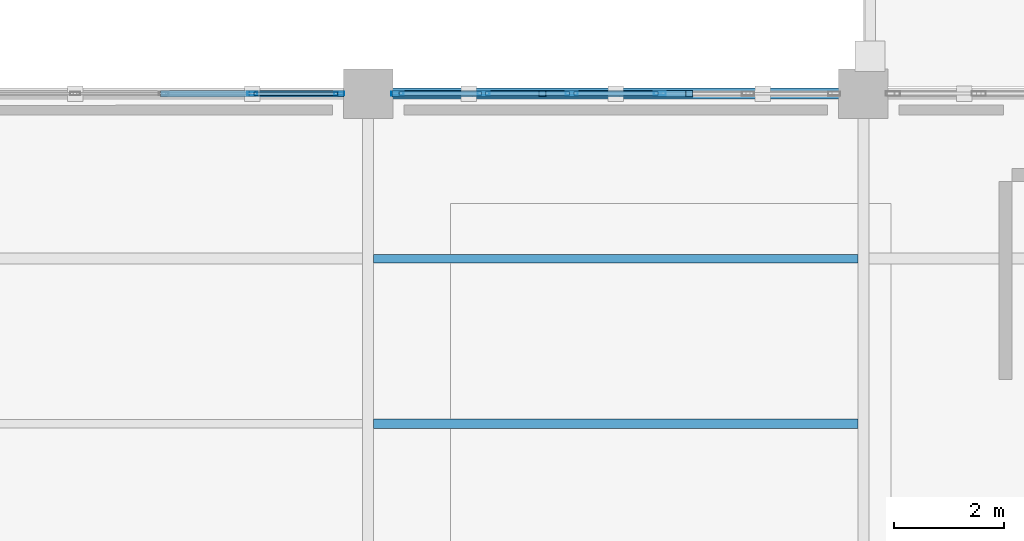
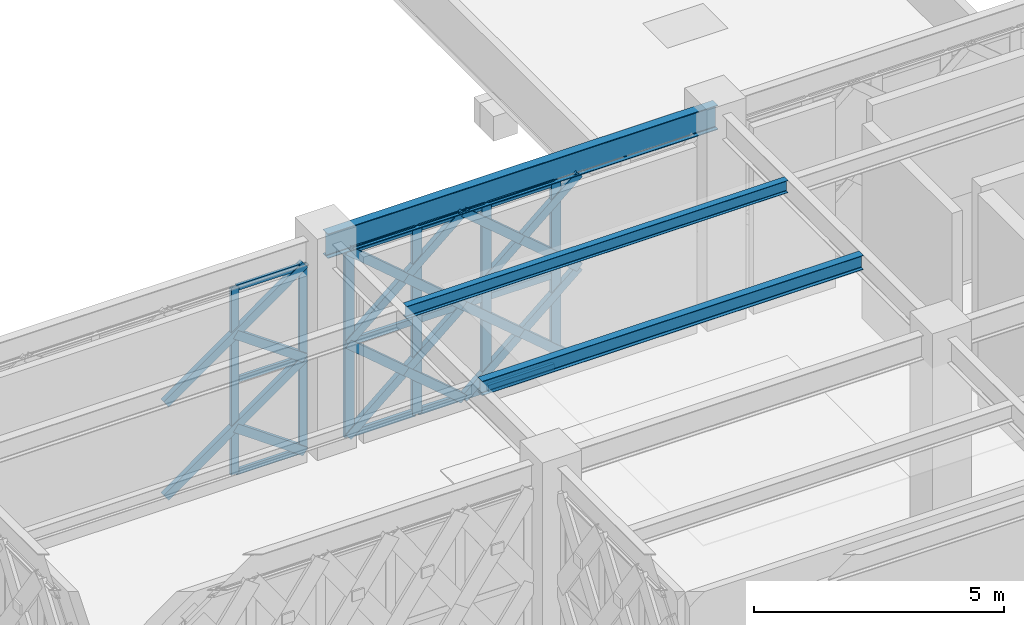
# One storey, part 22 of 155: 34 members, 3 beams, 2 elements without a shape of their own.
"""IFC4 building model written with IfcOpenShell, lengths in metres."""

from ifc_helpers import new_model, si_unit, direction, frame, origin, origin_2d, place, context, subcontext, project, spatial, hollow_rectangle, i_section, extrude, material, material_profile, profile_set, type_object, element, aggregate, save


model = new_model("IFC4")

# Units and contexts
model_context = context("Model", 3, precision=1e-05, world=origin(), true_north=direction((0.0, 1.0)))
body_context = subcontext(model_context, "Body", "Model", "MODEL_VIEW")
ifc_project = project(units=[si_unit("LENGTHUNIT", "METRE"), si_unit("AREAUNIT", "SQUARE_METRE"), si_unit("VOLUMEUNIT", "CUBIC_METRE"), si_unit("PLANEANGLEUNIT", "RADIAN"), si_unit("MASSUNIT", "GRAM", prefix="KILO")], contexts=[model_context])

# Site, building, storey
site_placement = place(None, origin())
site = spatial("IfcSite", under=ifc_project, at=site_placement, CompositionType="ELEMENT")
building_placement = place(site_placement, origin())
building = spatial("IfcBuilding", under=site, at=building_placement, Name="Haizhuo Lancet Aquarium", CompositionType="ELEMENT")
storey_placement = place(building_placement, frame((0.0, 0.0, 10.800048828125)))
storey = spatial("IfcBuildingStorey", under=building, at=storey_placement, Name="L02", CompositionType="ELEMENT", Elevation=10.800048828125)

# Beam
ifc_material_1 = material(Name="Steel S355", Category="steel")
ifc_material_profile_1 = material_profile(ifc_material_1, i_section(OverallWidth=0.199951171875, OverallDepth=0.60009765625, WebThickness=0.010986328125, FlangeThickness=0.01708984375, FilletRadius=0.02197265625, at=origin_2d()), Name="HN 600x200x11x17")
ifc_profile_set_1 = profile_set([ifc_material_profile_1], Name="Steel S355")
beam_type_1 = type_object("IfcBeamType", Name="BM-ST-HN600", PredefinedType="BEAM", material=ifc_profile_set_1)
beam_1_placement = place(storey_placement, frame((-72.0, -9.0, 4.85986328125), z_axis=(1.0, 0.0, 0.0), x_axis=(0.0, 1.0, 0.0)))
element("IfcBeam", 1, at=beam_1_placement, inside=storey, type_object=beam_type_1, Name="L02 V6 primary girder BM-L02-V6-008", PredefinedType="BEAM", context=body_context, shape_type="SweptSolid", body=[
    extrude(i_section(OverallWidth=0.199951171875, OverallDepth=0.60009765625, WebThickness=0.010986328125, FlangeThickness=0.01708984375, FilletRadius=0.02197265625, at=origin_2d()), origin(), (0.0, 0.0, 1.0), 9.0),
])

# Curtain wall, members
ifc_material_2 = material(Name="Aluminium 6063-T6", Category="aluminium")
curtain_wall_type_1 = type_object("IfcCurtainWallType", Name="CWO-9660x4560", PredefinedType="NOTDEFINED", material=ifc_material_2)
curtain_wall_1_placement = place(storey_placement, origin())
curtain_wall_1 = element("IfcCurtainWall", 2, at=curtain_wall_1_placement, inside=storey, type_object=curtain_wall_type_1, Name="L02 curtain wall CW-V6-L02-214", PredefinedType="NOTDEFINED")
ifc_material_profile_2 = material_profile(ifc_material_2, hollow_rectangle(XDim=0.06494140625, YDim=0.179931640625, WallThickness=0.00390625, at=origin_2d()), Name="ALU-M 65x180x4")
ifc_profile_set_2 = profile_set([ifc_material_profile_2], Name="Aluminium 6063-T6")
member_type_1 = type_object("IfcMemberType", Name="CW-MUL-1", PredefinedType="MULLION", material=ifc_profile_set_2)
member_1_placement = place(storey_placement, frame((-74.10498046875, -9.0, 0.0), z_axis=(0.0, 0.0, 1.0), x_axis=(0.0, 1.0, 0.0)))
member_1 = element("IfcMember", 3, at=member_1_placement, type_object=member_type_1, Name="CWO-96x45 mullion 6", PredefinedType="MULLION", context=body_context, shape_type="SweptSolid", body=[
    extrude(hollow_rectangle(XDim=0.06494140625, YDim=0.179931640625, WallThickness=0.00390625, at=origin_2d()), origin(), (0.0, 0.0, 1.0), 4.56005859375),
])
member_2_placement = place(storey_placement, frame((-72.528076171875, -9.0, 0.0), z_axis=(0.0, 0.0, 1.0), x_axis=(0.0, 1.0, 0.0)))
member_2 = element("IfcMember", 4, at=member_2_placement, type_object=member_type_1, Name="CWO-96x45 mullion 7", PredefinedType="MULLION", context=body_context, shape_type="SweptSolid", body=[
    extrude(hollow_rectangle(XDim=0.06494140625, YDim=0.179931640625, WallThickness=0.00390625, at=origin_2d()), origin(), (0.0, 0.0, 1.0), 4.56005859375),
])

curtain_wall_type_2 = type_object("IfcCurtainWallType", Name="CWO-8010x4560", PredefinedType="NOTDEFINED", material=ifc_material_2)
curtain_wall_2_placement = place(storey_placement, origin())
curtain_wall_2 = element("IfcCurtainWall", 5, at=curtain_wall_2_placement, inside=storey, type_object=curtain_wall_type_2, Name="L02 curtain wall CW-V6-L02-215", PredefinedType="NOTDEFINED")
ifc_material_profile_3 = material_profile(ifc_material_2, hollow_rectangle(XDim=0.074951171875, YDim=0.219970703125, WallThickness=0.0048828125, at=origin_2d()), Name="ALU-M 75x220x5")
ifc_profile_set_3 = profile_set([ifc_material_profile_3], Name="Aluminium 6063-T6")
member_type_2 = type_object("IfcMemberType", Name="CW-MUL-2", PredefinedType="MULLION", material=ifc_profile_set_3)
member_3_placement = place(storey_placement, frame((-71.468017578125, -9.0, 0.0), z_axis=(0.0, 0.0, 1.0), x_axis=(0.0, 1.0, 0.0)))
member_3 = element("IfcMember", 6, at=member_3_placement, type_object=member_type_2, Name="CWO-80x45 mullion 1", PredefinedType="MULLION", context=body_context, shape_type="SweptSolid", body=[
    extrude(hollow_rectangle(XDim=0.074951171875, YDim=0.219970703125, WallThickness=0.0048828125, at=origin_2d()), origin(), (0.0, 0.0, 1.0), 4.56005859375),
])
member_4_placement = place(storey_placement, frame((-69.903076171875, -9.0, 0.0), z_axis=(0.0, 0.0, 1.0), x_axis=(0.0, 1.0, 0.0)))
member_4 = element("IfcMember", 7, at=member_4_placement, type_object=member_type_2, Name="CWO-80x45 mullion 2", PredefinedType="MULLION", context=body_context, shape_type="SweptSolid", body=[
    extrude(hollow_rectangle(XDim=0.074951171875, YDim=0.219970703125, WallThickness=0.0048828125, at=origin_2d()), origin(), (0.0, 0.0, 1.0), 4.56005859375),
])
member_5_placement = place(storey_placement, frame((-68.301025390625, -9.0, 0.0), z_axis=(0.0, 0.0, 1.0), x_axis=(0.0, 1.0, 0.0)))
member_5 = element("IfcMember", 8, at=member_5_placement, type_object=member_type_2, Name="CWO-80x45 mullion 3", PredefinedType="MULLION", context=body_context, shape_type="SweptSolid", body=[
    extrude(hollow_rectangle(XDim=0.074951171875, YDim=0.219970703125, WallThickness=0.0048828125, at=origin_2d()), origin(), (0.0, 0.0, 1.0), 4.56005859375),
])
member_6_placement = place(storey_placement, frame((-66.698974609375, -9.0, 0.0), z_axis=(0.0, 0.0, 1.0), x_axis=(0.0, 1.0, 0.0)))
member_6 = element("IfcMember", 9, at=member_6_placement, type_object=member_type_2, Name="CWO-80x45 mullion 4", PredefinedType="MULLION", context=body_context, shape_type="SweptSolid", body=[
    extrude(hollow_rectangle(XDim=0.074951171875, YDim=0.219970703125, WallThickness=0.0048828125, at=origin_2d()), origin(), (0.0, 0.0, 1.0), 4.56005859375),
])

# Member
ifc_material_profile_4 = material_profile(ifc_material_2, hollow_rectangle(XDim=0.06494140625, YDim=0.139892578125, WallThickness=0.00390625, at=origin_2d()), Name="ALU-T 65x140x4")
ifc_profile_set_4 = profile_set([ifc_material_profile_4], Name="Aluminium 6063-T6")
member_type_3 = type_object("IfcMemberType", Name="CW-TRN-1", PredefinedType="NOTDEFINED", material=ifc_profile_set_4)
member_7_placement = place(storey_placement, frame((-74.072998046875, -9.0, 0.032958984375), z_axis=(1.0, 0.0, 0.0), x_axis=(0.0, 1.0, 0.0)))
member_7 = element("IfcMember", 10, at=member_7_placement, type_object=member_type_3, Name="CWO-96x45 transom 6.1", ObjectType="TRANSOM", PredefinedType="USERDEFINED", context=body_context, shape_type="SweptSolid", body=[
    extrude(hollow_rectangle(XDim=0.06494140625, YDim=0.139892578125, WallThickness=0.00390625, at=origin_2d()), origin(), (0.0, 0.0, 1.0), 1.512939453125),
])

member_8_placement = place(storey_placement, frame((-74.072998046875, -9.0, 2.280029296875), z_axis=(1.0, 0.0, 0.0), x_axis=(0.0, 1.0, 0.0)))
member_8 = element("IfcMember", 11, at=member_8_placement, type_object=member_type_3, Name="CWO-96x45 transom 6.2", ObjectType="TRANSOM", PredefinedType="USERDEFINED", context=body_context, shape_type="SweptSolid", body=[
    extrude(hollow_rectangle(XDim=0.06494140625, YDim=0.139892578125, WallThickness=0.00390625, at=origin_2d()), origin(), (0.0, 0.0, 1.0), 1.512939453125),
])

member_9_placement = place(storey_placement, frame((-74.072998046875, -9.0, 4.52685546875), z_axis=(1.0, 0.0, 0.0), x_axis=(0.0, 1.0, 0.0)))
member_9 = element("IfcMember", 12, at=member_9_placement, type_object=member_type_3, Name="CWO-96x45 transom 6.3", ObjectType="TRANSOM", PredefinedType="USERDEFINED", context=body_context, shape_type="SweptSolid", body=[
    extrude(hollow_rectangle(XDim=0.06494140625, YDim=0.139892578125, WallThickness=0.00390625, at=origin_2d()), origin(), (0.0, 0.0, 1.0), 1.512939453125),
])

aggregate(curtain_wall_1, [member_1, member_2, member_7, member_8, member_9])

ifc_material_profile_5 = material_profile(ifc_material_2, hollow_rectangle(XDim=0.074951171875, YDim=0.159912109375, WallThickness=0.00390625, at=origin_2d()), Name="ALU-T 75x160x4")
ifc_profile_set_5 = profile_set([ifc_material_profile_5], Name="Aluminium 6063-T6")
member_type_4 = type_object("IfcMemberType", Name="CW-TRN-2", PredefinedType="NOTDEFINED", material=ifc_profile_set_5)
member_10_placement = place(storey_placement, frame((-71.429931640625, -9.0, 0.037841796875), z_axis=(1.0, 0.0, 0.0), x_axis=(0.0, 1.0, 0.0)))
member_10 = element("IfcMember", 13, at=member_10_placement, type_object=member_type_4, Name="CWO-80x45 transom 1.1", ObjectType="TRANSOM", PredefinedType="USERDEFINED", context=body_context, shape_type="SweptSolid", body=[
    extrude(hollow_rectangle(XDim=0.074951171875, YDim=0.159912109375, WallThickness=0.00390625, at=origin_2d()), origin(), (0.0, 0.0, 1.0), 1.489013671875),
])

member_11_placement = place(storey_placement, frame((-71.429931640625, -9.0, 2.280029296875), z_axis=(1.0, 0.0, 0.0), x_axis=(0.0, 1.0, 0.0)))
member_11 = element("IfcMember", 14, at=member_11_placement, type_object=member_type_4, Name="CWO-80x45 transom 1.2", ObjectType="TRANSOM", PredefinedType="USERDEFINED", context=body_context, shape_type="SweptSolid", body=[
    extrude(hollow_rectangle(XDim=0.074951171875, YDim=0.159912109375, WallThickness=0.00390625, at=origin_2d()), origin(), (0.0, 0.0, 1.0), 1.489013671875),
])

member_12_placement = place(storey_placement, frame((-71.429931640625, -9.0, 4.52197265625), z_axis=(1.0, 0.0, 0.0), x_axis=(0.0, 1.0, 0.0)))
member_12 = element("IfcMember", 15, at=member_12_placement, type_object=member_type_4, Name="CWO-80x45 transom 1.3", ObjectType="TRANSOM", PredefinedType="USERDEFINED", context=body_context, shape_type="SweptSolid", body=[
    extrude(hollow_rectangle(XDim=0.074951171875, YDim=0.159912109375, WallThickness=0.00390625, at=origin_2d()), origin(), (0.0, 0.0, 1.0), 1.489013671875),
])

member_13_placement = place(storey_placement, frame((-69.864990234375, -9.0, 0.037841796875), z_axis=(1.0, 0.0, 0.0), x_axis=(0.0, 1.0, 0.0)))
member_13 = element("IfcMember", 16, at=member_13_placement, type_object=member_type_4, Name="CWO-80x45 transom 2.1", ObjectType="TRANSOM", PredefinedType="USERDEFINED", context=body_context, shape_type="SweptSolid", body=[
    extrude(hollow_rectangle(XDim=0.074951171875, YDim=0.159912109375, WallThickness=0.00390625, at=origin_2d()), origin(), (0.0, 0.0, 1.0), 1.527099609375),
])

member_14_placement = place(storey_placement, frame((-69.864990234375, -9.0, 2.280029296875), z_axis=(1.0, 0.0, 0.0), x_axis=(0.0, 1.0, 0.0)))
member_14 = element("IfcMember", 17, at=member_14_placement, type_object=member_type_4, Name="CWO-80x45 transom 2.2", ObjectType="TRANSOM", PredefinedType="USERDEFINED", context=body_context, shape_type="SweptSolid", body=[
    extrude(hollow_rectangle(XDim=0.074951171875, YDim=0.159912109375, WallThickness=0.00390625, at=origin_2d()), origin(), (0.0, 0.0, 1.0), 1.527099609375),
])

member_15_placement = place(storey_placement, frame((-69.864990234375, -9.0, 4.52197265625), z_axis=(1.0, 0.0, 0.0), x_axis=(0.0, 1.0, 0.0)))
member_15 = element("IfcMember", 18, at=member_15_placement, type_object=member_type_4, Name="CWO-80x45 transom 2.3", ObjectType="TRANSOM", PredefinedType="USERDEFINED", context=body_context, shape_type="SweptSolid", body=[
    extrude(hollow_rectangle(XDim=0.074951171875, YDim=0.159912109375, WallThickness=0.00390625, at=origin_2d()), origin(), (0.0, 0.0, 1.0), 1.527099609375),
])

member_16_placement = place(storey_placement, frame((-68.262939453125, -9.0, 0.037841796875), z_axis=(1.0, 0.0, 0.0), x_axis=(0.0, 1.0, 0.0)))
member_16 = element("IfcMember", 19, at=member_16_placement, type_object=member_type_4, Name="CWO-80x45 transom 3.1", ObjectType="TRANSOM", PredefinedType="USERDEFINED", context=body_context, shape_type="SweptSolid", body=[
    extrude(hollow_rectangle(XDim=0.074951171875, YDim=0.159912109375, WallThickness=0.00390625, at=origin_2d()), origin(), (0.0, 0.0, 1.0), 1.52685546875),
])

member_17_placement = place(storey_placement, frame((-68.262939453125, -9.0, 2.280029296875), z_axis=(1.0, 0.0, 0.0), x_axis=(0.0, 1.0, 0.0)))
member_17 = element("IfcMember", 20, at=member_17_placement, type_object=member_type_4, Name="CWO-80x45 transom 3.2", ObjectType="TRANSOM", PredefinedType="USERDEFINED", context=body_context, shape_type="SweptSolid", body=[
    extrude(hollow_rectangle(XDim=0.074951171875, YDim=0.159912109375, WallThickness=0.00390625, at=origin_2d()), origin(), (0.0, 0.0, 1.0), 1.52685546875),
])

member_18_placement = place(storey_placement, frame((-68.262939453125, -9.0, 4.52197265625), z_axis=(1.0, 0.0, 0.0), x_axis=(0.0, 1.0, 0.0)))
member_18 = element("IfcMember", 21, at=member_18_placement, type_object=member_type_4, Name="CWO-80x45 transom 3.3", ObjectType="TRANSOM", PredefinedType="USERDEFINED", context=body_context, shape_type="SweptSolid", body=[
    extrude(hollow_rectangle(XDim=0.074951171875, YDim=0.159912109375, WallThickness=0.00390625, at=origin_2d()), origin(), (0.0, 0.0, 1.0), 1.52685546875),
])

aggregate(curtain_wall_2, [member_3, member_4, member_5, member_6, member_10, member_11, member_12, member_13, member_14, member_15, member_16, member_17, member_18])

# Beams
ifc_material_profile_6 = material_profile(ifc_material_1, i_section(OverallWidth=0.14990234375, OverallDepth=0.300048828125, WebThickness=0.006591796875, FlangeThickness=0.009033203125, FilletRadius=0.012939453125, at=origin_2d()), Name="HN 300x150x6.5x9")
ifc_profile_set_6 = profile_set([ifc_material_profile_6], Name="Steel S355")
beam_type_2 = type_object("IfcBeamType", Name="JST-ST-HN300", PredefinedType="JOIST", material=ifc_profile_set_6)
beam_2_placement = place(storey_placement, frame((-71.89990234375, -12.0, 5.010009765625), z_axis=(1.0, 0.0, 0.0), x_axis=(0.0, 1.0, 0.0)))
element("IfcBeam", 22, at=beam_2_placement, inside=storey, type_object=beam_type_2, Name="L02 V6 secondary floor joist 6", PredefinedType="JOIST", context=body_context, shape_type="SweptSolid", body=[
    extrude(i_section(OverallWidth=0.14990234375, OverallDepth=0.300048828125, WebThickness=0.006591796875, FlangeThickness=0.009033203125, FilletRadius=0.012939453125, at=origin_2d()), origin(), (0.0, 0.0, 1.0), 8.7998046875),
])
ifc_material_profile_7 = material_profile(ifc_material_1, i_section(OverallWidth=0.175048828125, OverallDepth=0.35009765625, WebThickness=0.007080078125, FlangeThickness=0.010986328125, FilletRadius=0.013916015625, at=origin_2d()), Name="HN 350x175x7x11")
ifc_profile_set_7 = profile_set([ifc_material_profile_7], Name="Steel S355")
beam_type_3 = type_object("IfcBeamType", Name="JST-ST-HN350", PredefinedType="JOIST", material=ifc_profile_set_7)
beam_3_placement = place(storey_placement, frame((-71.89990234375, -15.0, 4.98486328125), z_axis=(1.0, 0.0, 0.0), x_axis=(0.0, 1.0, 0.0)))
element("IfcBeam", 23, at=beam_3_placement, inside=storey, type_object=beam_type_3, Name="L02 V6 secondary floor joist 5", PredefinedType="JOIST", context=body_context, shape_type="SweptSolid", body=[
    extrude(i_section(OverallWidth=0.175048828125, OverallDepth=0.35009765625, WebThickness=0.007080078125, FlangeThickness=0.010986328125, FilletRadius=0.013916015625, at=origin_2d()), origin(), (0.0, 0.0, 1.0), 8.7998046875),
])

# Members
ifc_material_profile_8 = material_profile(ifc_material_1, hollow_rectangle(XDim=0.1201171875, YDim=0.199951171875, WallThickness=0.008056640625, at=origin_2d()), Name="RHS 120x200x8")
ifc_profile_set_8 = profile_set([ifc_material_profile_8], Name="Steel S355")
member_type_5 = type_object("IfcMemberType", Name="MEM-LB-RHS120x200", PredefinedType="BRACE", material=ifc_profile_set_8)
member_19_placement = place(storey_placement, frame((-75.715087890625, -9.0, 0.0), z_axis=(0.816118111101, 0.0, 0.577885134549), x_axis=(0.0, 1.0, 0.0)))
element("IfcMember", 24, at=member_19_placement, inside=storey, type_object=member_type_5, Name="Gothic lancet continuous diagonal brace CW-V6-L02-214 5A", PredefinedType="BRACE", context=body_context, shape_type="SweptSolid", body=[
    extrude(hollow_rectangle(XDim=0.1201171875, YDim=0.199951171875, WallThickness=0.008056640625, at=origin_2d()), origin(), (0.0, 0.0, 1.0), 3.945556640625),
])
member_20_placement = place(storey_placement, frame((-72.4951171875, -9.0, 0.0), z_axis=(-0.816126630667, 0.0, 0.577873102606), x_axis=(0.0, -1.0, 0.0)))
element("IfcMember", 25, at=member_20_placement, inside=storey, type_object=member_type_5, Name="Gothic lancet split diagonal brace CW-V6-L02-214 5B1", PredefinedType="BRACE", context=body_context, shape_type="SweptSolid", body=[
    extrude(hollow_rectangle(XDim=0.1201171875, YDim=0.199951171875, WallThickness=0.008056640625, at=origin_2d()), origin(), (0.0, 0.0, 1.0), 1.97265625),
])
member_21_placement = place(storey_placement, frame((-75.715087890625, -9.0, 2.280029296875), z_axis=(0.816118111101, 0.0, 0.577885134549), x_axis=(0.0, 1.0, 0.0)))
element("IfcMember", 26, at=member_21_placement, inside=storey, type_object=member_type_5, Name="Gothic lancet continuous diagonal brace CW-V6-L02-214 6A", PredefinedType="BRACE", context=body_context, shape_type="SweptSolid", body=[
    extrude(hollow_rectangle(XDim=0.1201171875, YDim=0.199951171875, WallThickness=0.008056640625, at=origin_2d()), origin(), (0.0, 0.0, 1.0), 3.945556640625),
])
member_22_placement = place(storey_placement, frame((-72.4951171875, -9.0, 2.280029296875), z_axis=(-0.816126630667, 0.0, 0.577873102606), x_axis=(0.0, -1.0, 0.0)))
element("IfcMember", 27, at=member_22_placement, inside=storey, type_object=member_type_5, Name="Gothic lancet split diagonal brace CW-V6-L02-214 6B1", PredefinedType="BRACE", context=body_context, shape_type="SweptSolid", body=[
    extrude(hollow_rectangle(XDim=0.1201171875, YDim=0.199951171875, WallThickness=0.008056640625, at=origin_2d()), origin(), (0.0, 0.0, 1.0), 1.97265625),
])
member_23_placement = place(storey_placement, frame((-71.5048828125, -9.0, 0.0), z_axis=(0.760448077829, 0.0, 0.649398738007), x_axis=(0.0, 1.0, 0.0)))
element("IfcMember", 28, at=member_23_placement, inside=storey, type_object=member_type_5, Name="Gothic lancet continuous diagonal brace CW-V6-L02-215 1A", PredefinedType="BRACE", context=body_context, shape_type="SweptSolid", body=[
    extrude(hollow_rectangle(XDim=0.1201171875, YDim=0.199951171875, WallThickness=0.008056640625, at=origin_2d()), origin(), (0.0, 0.0, 1.0), 3.510986328125),
])
member_24_placement = place(storey_placement, frame((-68.8349609375, -9.0, 0.0), z_axis=(-0.760482417667, 0.0, 0.649358523791), x_axis=(0.0, -1.0, 0.0)))
element("IfcMember", 29, at=member_24_placement, inside=storey, type_object=member_type_5, Name="Gothic lancet split diagonal brace CW-V6-L02-215 1B1", PredefinedType="BRACE", context=body_context, shape_type="SweptSolid", body=[
    extrude(hollow_rectangle(XDim=0.1201171875, YDim=0.199951171875, WallThickness=0.008056640625, at=origin_2d()), origin(), (0.0, 0.0, 1.0), 1.75537109375),
])
member_25_placement = place(storey_placement, frame((-70.169921875, -9.0, 1.139892578125), z_axis=(-0.760413738967, 0.0, 0.649438946777), x_axis=(0.0, -1.0, 0.0)))
element("IfcMember", 30, at=member_25_placement, inside=storey, type_object=member_type_5, Name="Gothic lancet split diagonal brace CW-V6-L02-215 1B2", PredefinedType="BRACE", context=body_context, shape_type="SweptSolid", body=[
    extrude(hollow_rectangle(XDim=0.1201171875, YDim=0.199951171875, WallThickness=0.008056640625, at=origin_2d()), origin(), (0.0, 0.0, 1.0), 1.755615234375),
])
member_26_placement = place(storey_placement, frame((-71.5048828125, -9.0, 2.280029296875), z_axis=(0.760448077829, 0.0, 0.649398738007), x_axis=(0.0, 1.0, 0.0)))
element("IfcMember", 31, at=member_26_placement, inside=storey, type_object=member_type_5, Name="Gothic lancet continuous diagonal brace CW-V6-L02-215 2A", PredefinedType="BRACE", context=body_context, shape_type="SweptSolid", body=[
    extrude(hollow_rectangle(XDim=0.1201171875, YDim=0.199951171875, WallThickness=0.008056640625, at=origin_2d()), origin(), (0.0, 0.0, 1.0), 3.510986328125),
])
member_27_placement = place(storey_placement, frame((-68.8349609375, -9.0, 2.280029296875), z_axis=(-0.760482417667, 0.0, 0.649358523791), x_axis=(0.0, -1.0, 0.0)))
element("IfcMember", 32, at=member_27_placement, inside=storey, type_object=member_type_5, Name="Gothic lancet split diagonal brace CW-V6-L02-215 2B1", PredefinedType="BRACE", context=body_context, shape_type="SweptSolid", body=[
    extrude(hollow_rectangle(XDim=0.1201171875, YDim=0.199951171875, WallThickness=0.008056640625, at=origin_2d()), origin(), (0.0, 0.0, 1.0), 1.75537109375),
])
member_28_placement = place(storey_placement, frame((-70.169921875, -9.0, 3.419921875), z_axis=(-0.760413738967, 0.0, 0.649438946777), x_axis=(0.0, -1.0, 0.0)))
element("IfcMember", 33, at=member_28_placement, inside=storey, type_object=member_type_5, Name="Gothic lancet split diagonal brace CW-V6-L02-215 2B2", PredefinedType="BRACE", context=body_context, shape_type="SweptSolid", body=[
    extrude(hollow_rectangle(XDim=0.1201171875, YDim=0.199951171875, WallThickness=0.008056640625, at=origin_2d()), origin(), (0.0, 0.0, 1.0), 1.755615234375),
])
member_29_placement = place(storey_placement, frame((-68.8349609375, -9.0, 0.0), z_axis=(0.760448077829, 0.0, 0.649398738007), x_axis=(0.0, 1.0, 0.0)))
element("IfcMember", 34, at=member_29_placement, inside=storey, type_object=member_type_5, Name="Gothic lancet continuous diagonal brace CW-V6-L02-215 3A", PredefinedType="BRACE", context=body_context, shape_type="SweptSolid", body=[
    extrude(hollow_rectangle(XDim=0.1201171875, YDim=0.199951171875, WallThickness=0.008056640625, at=origin_2d()), origin(), (0.0, 0.0, 1.0), 3.510986328125),
])
member_30_placement = place(storey_placement, frame((-66.1650390625, -9.0, 0.0), z_axis=(-0.760482417667, 0.0, 0.649358523791), x_axis=(0.0, -1.0, 0.0)))
element("IfcMember", 35, at=member_30_placement, inside=storey, type_object=member_type_5, Name="Gothic lancet split diagonal brace CW-V6-L02-215 3B1", PredefinedType="BRACE", context=body_context, shape_type="SweptSolid", body=[
    extrude(hollow_rectangle(XDim=0.1201171875, YDim=0.199951171875, WallThickness=0.008056640625, at=origin_2d()), origin(), (0.0, 0.0, 1.0), 1.75537109375),
])
member_31_placement = place(storey_placement, frame((-67.5, -9.0, 1.139892578125), z_axis=(-0.760413738967, 0.0, 0.649438946777), x_axis=(0.0, -1.0, 0.0)))
element("IfcMember", 36, at=member_31_placement, inside=storey, type_object=member_type_5, Name="Gothic lancet split diagonal brace CW-V6-L02-215 3B2", PredefinedType="BRACE", context=body_context, shape_type="SweptSolid", body=[
    extrude(hollow_rectangle(XDim=0.1201171875, YDim=0.199951171875, WallThickness=0.008056640625, at=origin_2d()), origin(), (0.0, 0.0, 1.0), 1.755615234375),
])
member_32_placement = place(storey_placement, frame((-68.8349609375, -9.0, 2.280029296875), z_axis=(0.760448077829, 0.0, 0.649398738007), x_axis=(0.0, 1.0, 0.0)))
element("IfcMember", 37, at=member_32_placement, inside=storey, type_object=member_type_5, Name="Gothic lancet continuous diagonal brace CW-V6-L02-215 4A", PredefinedType="BRACE", context=body_context, shape_type="SweptSolid", body=[
    extrude(hollow_rectangle(XDim=0.1201171875, YDim=0.199951171875, WallThickness=0.008056640625, at=origin_2d()), origin(), (0.0, 0.0, 1.0), 3.510986328125),
])
member_33_placement = place(storey_placement, frame((-66.1650390625, -9.0, 2.280029296875), z_axis=(-0.760482417667, 0.0, 0.649358523791), x_axis=(0.0, -1.0, 0.0)))
element("IfcMember", 38, at=member_33_placement, inside=storey, type_object=member_type_5, Name="Gothic lancet split diagonal brace CW-V6-L02-215 4B1", PredefinedType="BRACE", context=body_context, shape_type="SweptSolid", body=[
    extrude(hollow_rectangle(XDim=0.1201171875, YDim=0.199951171875, WallThickness=0.008056640625, at=origin_2d()), origin(), (0.0, 0.0, 1.0), 1.75537109375),
])
member_34_placement = place(storey_placement, frame((-67.5, -9.0, 3.419921875), z_axis=(-0.760413738967, 0.0, 0.649438946777), x_axis=(0.0, -1.0, 0.0)))
element("IfcMember", 39, at=member_34_placement, inside=storey, type_object=member_type_5, Name="Gothic lancet split diagonal brace CW-V6-L02-215 4B2", PredefinedType="BRACE", context=body_context, shape_type="SweptSolid", body=[
    extrude(hollow_rectangle(XDim=0.1201171875, YDim=0.199951171875, WallThickness=0.008056640625, at=origin_2d()), origin(), (0.0, 0.0, 1.0), 1.755615234375),
])

save(model, "model.ifc")
